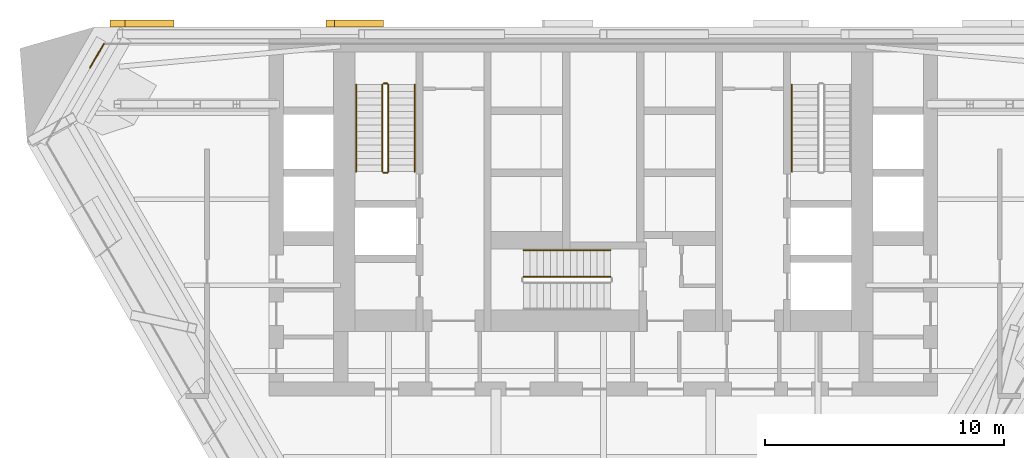
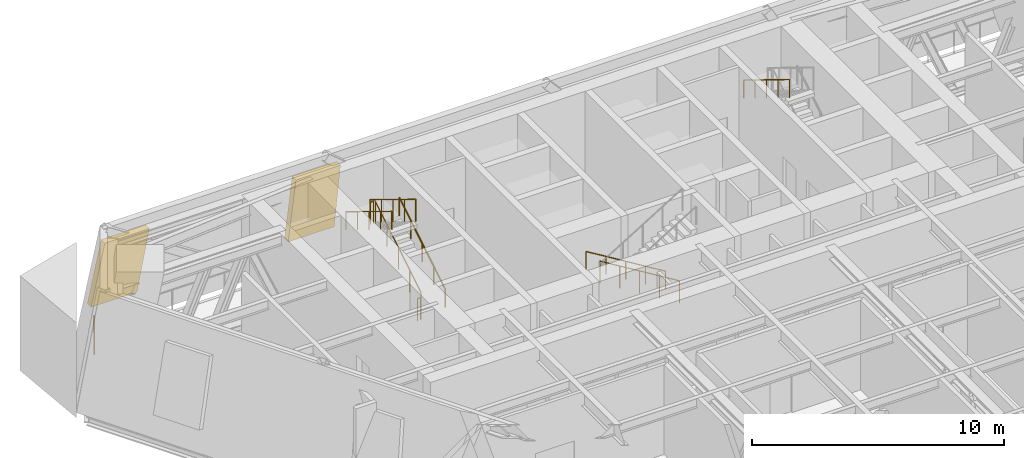
# One storey, part 10 of 12: 10 railings, 2 shading devices.
"""IFC4 building model written with IfcOpenShell, lengths in metres."""

from ifc_helpers import new_model, si_unit, direction, frame, origin, origin_2d, place, context, subcontext, project, spatial, polyline, circle, outline, extrude, material, layer, layer_set, type_object, element, save


model = new_model("IFC4")

# Units and contexts
model_context = context("Model", 3, precision=1e-05, world=origin(), true_north=direction((0.0, 1.0)))
body_context = subcontext(model_context, "Body", "Model", "MODEL_VIEW")
ifc_project = project(units=[si_unit("LENGTHUNIT", "METRE"), si_unit("AREAUNIT", "SQUARE_METRE"), si_unit("VOLUMEUNIT", "CUBIC_METRE"), si_unit("PLANEANGLEUNIT", "RADIAN"), si_unit("MASSUNIT", "GRAM", prefix="KILO")], contexts=[model_context])

# Site, building, storey
site_placement = place(None, origin())
site = spatial("IfcSite", under=ifc_project, at=site_placement, CompositionType="ELEMENT")
building_placement = place(site_placement, origin())
building = spatial("IfcBuilding", under=site, at=building_placement, Name="Aloe Facet Convention Tower", CompositionType="ELEMENT")
storey_placement = place(building_placement, frame((0.0, 0.0, 123.800048828125)))
storey = spatial("IfcBuildingStorey", under=building, at=storey_placement, Name="L31", CompositionType="ELEMENT", Elevation=123.800048828125)

# Railings
ifc_material_1 = material(Name="Steel S355 balustrade", Category="steel")
railing_type_1 = type_object("IfcRailingType", Name="CR-RL-GUARD", PredefinedType="GUARDRAIL", material=ifc_material_1)
railing_1_placement = place(storey_placement, frame((71.0, 128.949951171875, 0.17138671875)))
element("IfcRailing", 1, at=railing_1_placement, inside=storey, type_object=railing_type_1, Name="L31 ST1 stair guard 1", PredefinedType="GUARDRAIL", context=body_context, shape_type="SweptSolid", body=[
    extrude(circle(Radius=0.02392578125, at=origin_2d()), frame((0.0, 0.0, 1.076171875), z_axis=(0.0, 0.852865859571, 0.52213008492), x_axis=(-1.0, 0.0, 0.0)), (0.0, 0.0, 1.0), 4.26806640625),
    extrude(circle(Radius=0.02099609375, at=origin_2d()), origin(), (0.0, 0.0, 1.0), 1.052001953125),
    extrude(circle(Radius=0.02099609375, at=origin_2d()), frame((0.0, 0.91015625, 0.55712890625)), (0.0, 0.0, 1.0), 1.052001953125),
    extrude(circle(Radius=0.02099609375, at=origin_2d()), frame((0.0, 1.820068359375, 1.1142578125)), (0.0, 0.0, 1.0), 1.052001953125),
    extrude(circle(Radius=0.02099609375, at=origin_2d()), frame((0.0, 2.72998046875, 1.67138671875)), (0.0, 0.0, 1.0), 1.052001953125),
    extrude(circle(Radius=0.02099609375, at=origin_2d()), frame((0.0, 3.64013671875, 2.228515625)), (0.0, 0.0, 1.0), 1.052001953125),
])
railing_2_placement = place(storey_placement, frame((70.949951171875, 132.639892578125, 2.39990234375)))
element("IfcRailing", 2, at=railing_2_placement, inside=storey, type_object=railing_type_1, Name="L31 ST1 stair guard 2", PredefinedType="GUARDRAIL", context=body_context, shape_type="SweptSolid", body=[
    extrude(circle(Radius=0.02392578125, at=origin_2d()), frame((0.0, 0.0, 1.076171875), z_axis=(-1.0, 0.0, 0.0), x_axis=(0.0, -1.0, 0.0)), (0.0, 0.0, 1.0), 0.14990234375),
    extrude(circle(Radius=0.02099609375, at=origin_2d()), origin(), (0.0, 0.0, 1.0), 1.052001953125),
    extrude(circle(Radius=0.02099609375, at=origin_2d()), frame((-0.14990234375, 0.0, 0.0)), (0.0, 0.0, 1.0), 1.052001953125),
])
railing_3_placement = place(storey_placement, frame((70.75, 132.590087890625, 2.5712890625)))
element("IfcRailing", 3, at=railing_3_placement, inside=storey, type_object=railing_type_1, Name="L31 ST1 stair guard 3", PredefinedType="GUARDRAIL", context=body_context, shape_type="SweptSolid", body=[
    extrude(circle(Radius=0.02392578125, at=origin_2d()), frame((0.0, 0.0, 1.076171875), z_axis=(0.0, -0.852840387347, 0.522171689878), x_axis=(1.0, 0.0, 0.0)), (0.0, 0.0, 1.0), 4.268310546875),
    extrude(circle(Radius=0.02099609375, at=origin_2d()), origin(), (0.0, 0.0, 1.0), 1.052001953125),
    extrude(circle(Radius=0.02099609375, at=origin_2d()), frame((0.0, -0.91015625, 0.55712890625)), (0.0, 0.0, 1.0), 1.052001953125),
    extrude(circle(Radius=0.02099609375, at=origin_2d()), frame((0.0, -1.820068359375, 1.1142578125)), (0.0, 0.0, 1.0), 1.052001953125),
    extrude(circle(Radius=0.02099609375, at=origin_2d()), frame((0.0, -2.72998046875, 1.671630859375)), (0.0, 0.0, 1.0), 1.052001953125),
    extrude(circle(Radius=0.02099609375, at=origin_2d()), frame((0.0, -3.64013671875, 2.228759765625)), (0.0, 0.0, 1.0), 1.052001953125),
])
railing_4_placement = place(storey_placement, frame((70.949951171875, 128.89990234375, 0.0)))
element("IfcRailing", 4, at=railing_4_placement, inside=storey, type_object=railing_type_1, Name="L31 ST1 stair guard 4", PredefinedType="GUARDRAIL", context=body_context, shape_type="SweptSolid", body=[
    extrude(circle(Radius=0.02392578125, at=origin_2d()), frame((0.0, 0.0, 1.076171875), z_axis=(-1.0, 0.0, 0.0), x_axis=(0.0, -1.0, 0.0)), (0.0, 0.0, 1.0), 0.14990234375),
    extrude(circle(Radius=0.02099609375, at=origin_2d()), origin(), (0.0, 0.0, 1.0), 1.052001953125),
    extrude(circle(Radius=0.02099609375, at=origin_2d()), frame((-0.14990234375, 0.0, 0.0)), (0.0, 0.0, 1.0), 1.052001953125),
])
railing_5_placement = place(storey_placement, frame((80.300048828125, 124.550048828125, 0.17138671875)))
element("IfcRailing", 5, at=railing_5_placement, inside=storey, type_object=railing_type_1, Name="L31 ST3 stair guard 1", PredefinedType="GUARDRAIL", context=body_context, shape_type="SweptSolid", body=[
    extrude(circle(Radius=0.02392578125, at=origin_2d()), frame((0.0, 0.0, 1.076171875), z_axis=(-0.852865859571, 0.0, 0.52213008492), x_axis=(0.0, -1.0, 0.0)), (0.0, 0.0, 1.0), 4.26806640625),
    extrude(circle(Radius=0.02099609375, at=origin_2d()), origin(), (0.0, 0.0, 1.0), 1.052001953125),
    extrude(circle(Radius=0.02099609375, at=origin_2d()), frame((-0.91015625, 0.0, 0.55712890625)), (0.0, 0.0, 1.0), 1.052001953125),
    extrude(circle(Radius=0.02099609375, at=origin_2d()), frame((-1.820068359375, 0.0, 1.1142578125)), (0.0, 0.0, 1.0), 1.052001953125),
    extrude(circle(Radius=0.02099609375, at=origin_2d()), frame((-2.72998046875, 0.0, 1.67138671875)), (0.0, 0.0, 1.0), 1.052001953125),
    extrude(circle(Radius=0.02099609375, at=origin_2d()), frame((-3.64013671875, 0.0, 2.228515625)), (0.0, 0.0, 1.0), 1.052001953125),
])
ifc_material_2 = material(Name="Steel S355 handrail", Category="steel")
railing_type_2 = type_object("IfcRailingType", Name="CR-RL-HAND", PredefinedType="HANDRAIL", material=ifc_material_2)
railing_6_placement = place(storey_placement, frame((72.10009765625, 128.949951171875, 0.17138671875)))
element("IfcRailing", 6, at=railing_6_placement, inside=storey, type_object=railing_type_2, Name="L31 ST1 stair handrail 1", PredefinedType="HANDRAIL", context=body_context, shape_type="SweptSolid", body=[
    extrude(circle(Radius=0.02392578125, at=origin_2d()), frame((0.0, 0.0, 0.8759765625), z_axis=(0.0, 0.852865859571, 0.52213008492), x_axis=(-1.0, 0.0, 0.0)), (0.0, 0.0, 1.0), 4.26806640625),
    extrude(circle(Radius=0.02099609375, at=origin_2d()), origin(), (0.0, 0.0, 1.0), 0.851806640625),
    extrude(circle(Radius=0.02099609375, at=origin_2d()), frame((0.0, 0.91015625, 0.55712890625)), (0.0, 0.0, 1.0), 0.851806640625),
    extrude(circle(Radius=0.02099609375, at=origin_2d()), frame((0.0, 1.820068359375, 1.1142578125)), (0.0, 0.0, 1.0), 0.851806640625),
    extrude(circle(Radius=0.02099609375, at=origin_2d()), frame((0.0, 2.72998046875, 1.67138671875)), (0.0, 0.0, 1.0), 0.851806640625),
    extrude(circle(Radius=0.02099609375, at=origin_2d()), frame((0.0, 3.64013671875, 2.228515625)), (0.0, 0.0, 1.0), 0.851806640625),
])
for number, where, name in (
    (7, (69.64990234375, 132.590087890625, 2.5712890625), "L31 ST1 stair handrail 2"),
    (8, (87.89990234375, 132.590087890625, 2.5712890625), "L31 ST2 stair handrail 2"),
):
    element("IfcRailing", number, at=place(storey_placement, frame(where)), inside=storey, type_object=railing_type_2, Name=name, PredefinedType="HANDRAIL", context=body_context, shape_type="SweptSolid", body=[
        extrude(circle(Radius=0.02392578125, at=origin_2d()), frame((0.0, 0.0, 0.8759765625), z_axis=(0.0, -0.852840387347, 0.522171689878), x_axis=(1.0, 0.0, 0.0)), (0.0, 0.0, 1.0), 4.268310546875),
        extrude(circle(Radius=0.02099609375, at=origin_2d()), origin(), (0.0, 0.0, 1.0), 0.851806640625),
        extrude(circle(Radius=0.02099609375, at=origin_2d()), frame((0.0, -0.91015625, 0.55712890625)), (0.0, 0.0, 1.0), 0.851806640625),
        extrude(circle(Radius=0.02099609375, at=origin_2d()), frame((0.0, -1.820068359375, 1.1142578125)), (0.0, 0.0, 1.0), 0.851806640625),
        extrude(circle(Radius=0.02099609375, at=origin_2d()), frame((0.0, -2.72998046875, 1.671630859375)), (0.0, 0.0, 1.0), 0.851806640625),
        extrude(circle(Radius=0.02099609375, at=origin_2d()), frame((0.0, -3.64013671875, 2.228759765625)), (0.0, 0.0, 1.0), 0.851806640625),
    ])
railing_7_placement = place(storey_placement, frame((80.300048828125, 125.64990234375, 0.17138671875)))
element("IfcRailing", 9, at=railing_7_placement, inside=storey, type_object=railing_type_2, Name="L31 ST3 stair handrail 1", PredefinedType="HANDRAIL", context=body_context, shape_type="SweptSolid", body=[
    extrude(circle(Radius=0.02392578125, at=origin_2d()), frame((0.0, 0.0, 0.8759765625), z_axis=(-0.852865859571, 0.0, 0.52213008492), x_axis=(0.0, -1.0, 0.0)), (0.0, 0.0, 1.0), 4.26806640625),
    extrude(circle(Radius=0.02099609375, at=origin_2d()), origin(), (0.0, 0.0, 1.0), 0.851806640625),
    extrude(circle(Radius=0.02099609375, at=origin_2d()), frame((-0.91015625, 0.0, 0.55712890625)), (0.0, 0.0, 1.0), 0.851806640625),
    extrude(circle(Radius=0.02099609375, at=origin_2d()), frame((-1.820068359375, 0.0, 1.1142578125)), (0.0, 0.0, 1.0), 0.851806640625),
    extrude(circle(Radius=0.02099609375, at=origin_2d()), frame((-2.72998046875, 0.0, 1.67138671875)), (0.0, 0.0, 1.0), 0.851806640625),
    extrude(circle(Radius=0.02099609375, at=origin_2d()), frame((-3.64013671875, 0.0, 2.228515625)), (0.0, 0.0, 1.0), 0.851806640625),
])
ifc_material_3 = material(Name="Steel S355", Category="steel")
railing_type_3 = type_object("IfcRailingType", Name="EV-GUARD-PORTAL", PredefinedType="GUARDRAIL", material=ifc_material_3)
railing_8_placement = place(storey_placement, frame((58.509765625, 133.3076171875, 0.0)))
element("IfcRailing", 10, at=railing_8_placement, inside=storey, type_object=railing_type_3, Name="GUARD L31-8", PredefinedType="GUARDRAIL", context=body_context, shape_type="SweptSolid", body=[
    extrude(circle(Radius=0.02392578125, at=origin_2d()), frame((0.0, 0.0, 1.076171875), z_axis=(0.499851564186, 0.866111086282, 0.0), x_axis=(-0.866111086282, 0.499851564186, 0.0)), (0.0, 0.0, 1.0), 1.145751953125),
    extrude(circle(Radius=0.02099609375, at=origin_2d()), origin(), (0.0, 0.0, 1.0), 1.052001953125),
    extrude(circle(Radius=0.02099609375, at=origin_2d()), frame((0.57275390625, 0.992431640625, 0.0)), (0.0, 0.0, 1.0), 1.052001953125),
])

# Shading devices
ifc_material_4 = material(Name="Aluminium, anodised", Category="aluminium")
ifc_layer = layer(ifc_material_4, 0.300048828125)
ifc_layer_set = layer_set([ifc_layer], Name="EV-LOUVRE-BELT")
shading_device_type = type_object("IfcShadingDeviceType", Name="EV-LOUVRE-BELT", PredefinedType="JALOUSIE", material=ifc_layer_set)
shading_device_1_placement = place(storey_placement, frame((70.50244140625, 135.300048828125, 0.9599609375), z_axis=(0.0, 1.0, 0.0), x_axis=(-1.0, 0.0, 0.0)))
element("IfcShadingDevice", 11, at=shading_device_1_placement, inside=storey, type_object=shading_device_type, Name="LOUVRE L31-N11", PredefinedType="JALOUSIE", context=body_context, shape_type="SweptSolid", body=[
    extrude(outline(polyline([(0.0, 0.0), (2.110595703125, 0.0), (1.7548828125, 2.8798828125), (-0.291015625, 2.8798828125), (0.0, 0.0)])), origin(), (0.0, 0.0, -1.0), 0.300048828125),
])
shading_device_2_placement = place(storey_placement, frame((61.45703125, 135.300048828125, 0.9599609375), z_axis=(0.0, 1.0, 0.0), x_axis=(-1.0, 0.0, 0.0)))
element("IfcShadingDevice", 12, at=shading_device_2_placement, inside=storey, type_object=shading_device_type, Name="LOUVRE L31-N14", PredefinedType="JALOUSIE", context=body_context, shape_type="SweptSolid", body=[
    extrude(outline(polyline([(0.0, 0.0), (2.110595703125, 0.0), (1.477294921875, 2.8798828125), (-0.568359375, 2.8798828125), (0.0, 0.0)])), origin(), (0.0, 0.0, -1.0), 0.300048828125),
])

save(model, "model.ifc")
